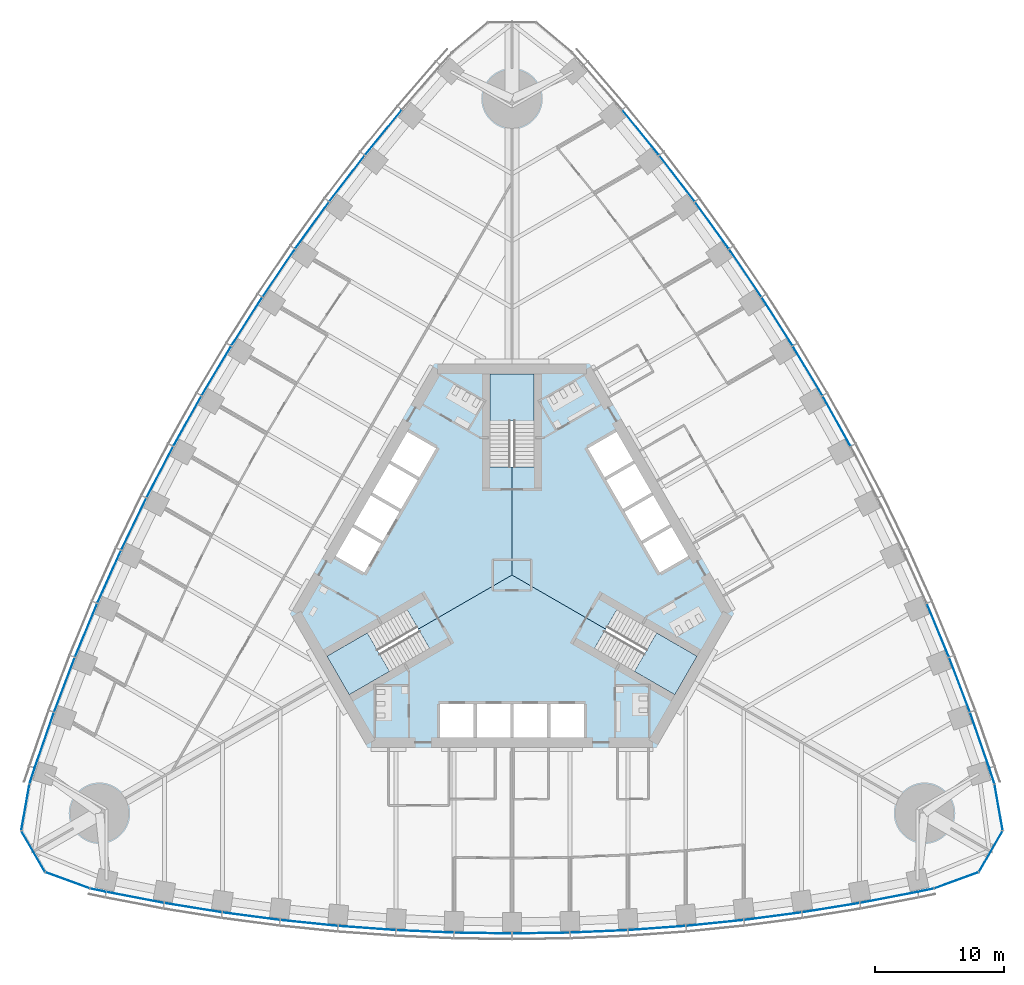
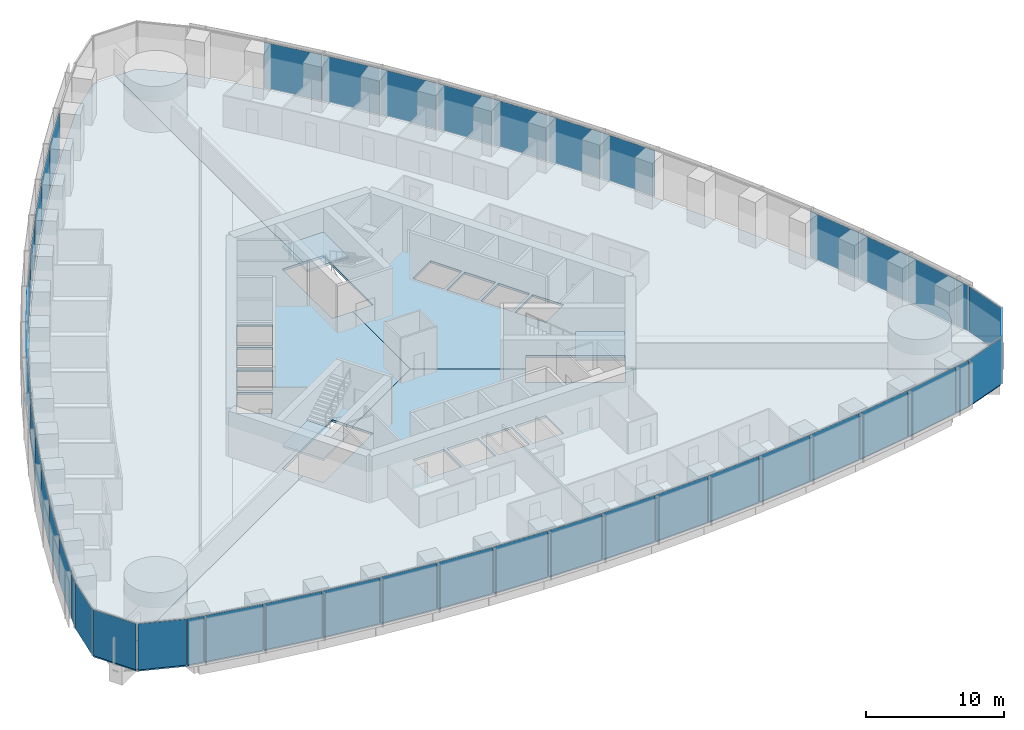
# One storey, part 8 of 18: 47 plates, 6 slabs, 8 elements without a shape of their own.
"""IFC4 building model written with IfcOpenShell, lengths in metres."""

from ifc_helpers import new_model, si_unit, direction, frame, origin, origin_2d, place, context, subcontext, project, spatial, polyline, rectangle, outline, extrude, material, layer, layer_set, type_object, element, aggregate, save


model = new_model("IFC4")

# Units and contexts
model_context = context("Model", 3, precision=1e-05, world=origin(), true_north=direction((0.0, 1.0)))
body_context = subcontext(model_context, "Body", "Model", "MODEL_VIEW")
ifc_project = project(units=[si_unit("LENGTHUNIT", "METRE"), si_unit("AREAUNIT", "SQUARE_METRE"), si_unit("VOLUMEUNIT", "CUBIC_METRE"), si_unit("PLANEANGLEUNIT", "RADIAN"), si_unit("MASSUNIT", "GRAM", prefix="KILO")], contexts=[model_context])

# Site, building, storey
site_placement = place(None, origin())
site = spatial("IfcSite", under=ifc_project, at=site_placement, CompositionType="ELEMENT")
building_placement = place(site_placement, origin())
building = spatial("IfcBuilding", under=site, at=building_placement, Name="Trefoil Bronze Tower", CompositionType="ELEMENT")
storey_placement = place(building_placement, frame((0.0, 0.0, 24.89990234375)))
storey = spatial("IfcBuildingStorey", under=building, at=storey_placement, Name="L05", CompositionType="ELEMENT", Elevation=24.89990234375)

# Curtain wall, plates
ifc_material_1 = material(Name="Tinted solar-control glass", Category="glass")
curtain_wall_type_1 = type_object("IfcCurtainWallType", Name="Bronze office curtain wall", PredefinedType="USERDEFINED", material=ifc_material_1)
curtain_wall_1_placement = place(storey_placement, origin())
curtain_wall_1 = element("IfcCurtainWall", 1, at=curtain_wall_1_placement, inside=storey, type_object=curtain_wall_type_1, Name="CW-A L05 F1", ObjectType="CURTAIN WALL", PredefinedType="USERDEFINED")
ifc_material_2 = material(Name="Tinted solar-control glass", Category="glass")
ifc_layer_1 = layer(ifc_material_2, 0.030029296875)
ifc_layer_set_1 = layer_set([ifc_layer_1], Name="Bronze office curtain wall glass panel")
plate_type_1 = type_object("IfcPlateType", Name="Bronze office curtain wall glass panel", PredefinedType="CURTAIN_PANEL", material=ifc_layer_set_1)
plate_1_placement = place(storey_placement, frame((-32.15185546875, -24.480224609375, 0.0), z_axis=(0.0, 0.0, 1.0), x_axis=(0.978302717041, -0.207180582657, 0.0)))
plate_1 = element("IfcPlate", 2, at=plate_1_placement, type_object=plate_type_1, Name="CW-A L05 F1 panel 1", PredefinedType="CURTAIN_PANEL", context=body_context, shape_type="SweptSolid", body=[
    extrude(rectangle(XDim=1.21044921875, YDim=0.030029296875, at=origin_2d()), origin(), (0.0, 0.0, 1.0), 4.080078125),
])
plate_2_placement = place(storey_placement, frame((-29.268798828125, -25.04638671875, 0.0), z_axis=(0.0, 0.0, 1.0), x_axis=(0.982049823817, -0.188621694249, 0.0)))
plate_2 = element("IfcPlate", 3, at=plate_2_placement, type_object=plate_type_1, Name="CW-A L05 F1 panel 2", PredefinedType="CURTAIN_PANEL", context=body_context, shape_type="SweptSolid", body=[
    extrude(rectangle(XDim=4.502197265625, YDim=0.030029296875, at=origin_2d()), origin(), (0.0, 0.0, 1.0), 4.080078125),
])
plate_3_placement = place(storey_placement, frame((-24.765869140625, -25.8427734375, 0.0), z_axis=(0.0, 0.0, 1.0), x_axis=(0.987181315145, -0.159602791421, 0.0)))
plate_3 = element("IfcPlate", 4, at=plate_3_placement, type_object=plate_type_1, Name="CW-A L05 F1 panel 3", PredefinedType="CURTAIN_PANEL", context=body_context, shape_type="SweptSolid", body=[
    extrude(rectangle(XDim=4.478515625, YDim=0.030029296875, at=origin_2d()), origin(), (0.0, 0.0, 1.0), 4.080078125),
])
plate_4_placement = place(storey_placement, frame((-20.262939453125, -26.50341796875, 0.0), z_axis=(0.0, 0.0, 1.0), x_axis=(0.991437251591, -0.130583981243, 0.0)))
plate_4 = element("IfcPlate", 5, at=plate_4_placement, type_object=plate_type_1, Name="CW-A L05 F1 panel 4", PredefinedType="CURTAIN_PANEL", context=body_context, shape_type="SweptSolid", body=[
    extrude(rectangle(XDim=4.458984375, YDim=0.030029296875, at=origin_2d()), origin(), (0.0, 0.0, 1.0), 4.080078125),
])
plate_5_placement = place(storey_placement, frame((-15.76025390625, -27.02978515625, 0.0), z_axis=(0.0, 0.0, 1.0), x_axis=(0.994828880293, -0.101565244717, 0.0)))
plate_5 = element("IfcPlate", 6, at=plate_5_placement, type_object=plate_type_1, Name="CW-A L05 F1 panel 5", PredefinedType="CURTAIN_PANEL", context=body_context, shape_type="SweptSolid", body=[
    extrude(rectangle(XDim=4.443359375, YDim=0.030029296875, at=origin_2d()), origin(), (0.0, 0.0, 1.0), 4.080078125),
])
plate_6_placement = place(storey_placement, frame((-11.25732421875, -27.42333984375, 0.0), z_axis=(0.0, 0.0, 1.0), x_axis=(0.99736502647, -0.072546564177, 0.0)))
plate_6 = element("IfcPlate", 7, at=plate_6_placement, type_object=plate_type_1, Name="CW-A L05 F1 panel 6", PredefinedType="CURTAIN_PANEL", context=body_context, shape_type="SweptSolid", body=[
    extrude(rectangle(XDim=4.431884765625, YDim=0.030029296875, at=origin_2d()), origin(), (0.0, 0.0, 1.0), 4.080078125),
])
plate_7_placement = place(storey_placement, frame((-6.75439453125, -27.685302734375, 0.0), z_axis=(0.0, 0.0, 1.0), x_axis=(0.999052210809, -0.043527922969, 0.0)))
plate_7 = element("IfcPlate", 8, at=plate_7_placement, type_object=plate_type_1, Name="CW-A L05 F1 panel 7", PredefinedType="CURTAIN_PANEL", context=body_context, shape_type="SweptSolid", body=[
    extrude(rectangle(XDim=4.42431640625, YDim=0.030029296875, at=origin_2d()), origin(), (0.0, 0.0, 1.0), 4.080078125),
])
plate_8_placement = place(storey_placement, frame((-2.25146484375, -27.816162109375, 0.0), z_axis=(0.0, 0.0, 1.0), x_axis=(0.999894734493, -0.014509305083, 0.0)))
plate_8 = element("IfcPlate", 9, at=plate_8_placement, type_object=plate_type_1, Name="CW-A L05 F1 panel 8", PredefinedType="CURTAIN_PANEL", context=body_context, shape_type="SweptSolid", body=[
    extrude(rectangle(XDim=4.42041015625, YDim=0.030029296875, at=origin_2d()), origin(), (0.0, 0.0, 1.0), 4.080078125),
])
plate_9_placement = place(storey_placement, frame((2.25146484375, -27.816162109375, 0.0), z_axis=(0.0, 0.0, 1.0), x_axis=(0.999894734493, 0.014509305083, 0.0)))
plate_9 = element("IfcPlate", 10, at=plate_9_placement, type_object=plate_type_1, Name="CW-A L05 F1 panel 9", PredefinedType="CURTAIN_PANEL", context=body_context, shape_type="SweptSolid", body=[
    extrude(rectangle(XDim=4.42041015625, YDim=0.030029296875, at=origin_2d()), origin(), (0.0, 0.0, 1.0), 4.080078125),
])
plate_10_placement = place(storey_placement, frame((6.75439453125, -27.685302734375, 0.0), z_axis=(0.0, 0.0, 1.0), x_axis=(0.999052210809, 0.043527922969, 0.0)))
plate_10 = element("IfcPlate", 11, at=plate_10_placement, type_object=plate_type_1, Name="CW-A L05 F1 panel 10", PredefinedType="CURTAIN_PANEL", context=body_context, shape_type="SweptSolid", body=[
    extrude(rectangle(XDim=4.42431640625, YDim=0.030029296875, at=origin_2d()), origin(), (0.0, 0.0, 1.0), 4.080078125),
])
plate_11_placement = place(storey_placement, frame((11.25732421875, -27.42333984375, 0.0), z_axis=(0.0, 0.0, 1.0), x_axis=(0.99736502647, 0.072546564177, 0.0)))
plate_11 = element("IfcPlate", 12, at=plate_11_placement, type_object=plate_type_1, Name="CW-A L05 F1 panel 11", PredefinedType="CURTAIN_PANEL", context=body_context, shape_type="SweptSolid", body=[
    extrude(rectangle(XDim=4.431884765625, YDim=0.030029296875, at=origin_2d()), origin(), (0.0, 0.0, 1.0), 4.080078125),
])
plate_12_placement = place(storey_placement, frame((15.76025390625, -27.02978515625, 0.0), z_axis=(0.0, 0.0, 1.0), x_axis=(0.994828880293, 0.101565244717, 0.0)))
plate_12 = element("IfcPlate", 13, at=plate_12_placement, type_object=plate_type_1, Name="CW-A L05 F1 panel 12", PredefinedType="CURTAIN_PANEL", context=body_context, shape_type="SweptSolid", body=[
    extrude(rectangle(XDim=4.443359375, YDim=0.030029296875, at=origin_2d()), origin(), (0.0, 0.0, 1.0), 4.080078125),
])
plate_13_placement = place(storey_placement, frame((20.262939453125, -26.50341796875, 0.0), z_axis=(0.0, 0.0, 1.0), x_axis=(0.991437251591, 0.130583981243, 0.0)))
plate_13 = element("IfcPlate", 14, at=plate_13_placement, type_object=plate_type_1, Name="CW-A L05 F1 panel 13", PredefinedType="CURTAIN_PANEL", context=body_context, shape_type="SweptSolid", body=[
    extrude(rectangle(XDim=4.458984375, YDim=0.030029296875, at=origin_2d()), origin(), (0.0, 0.0, 1.0), 4.080078125),
])
plate_14_placement = place(storey_placement, frame((24.765869140625, -25.8427734375, 0.0), z_axis=(0.0, 0.0, 1.0), x_axis=(0.987181315145, 0.159602791421, 0.0)))
plate_14 = element("IfcPlate", 15, at=plate_14_placement, type_object=plate_type_1, Name="CW-A L05 F1 panel 14", PredefinedType="CURTAIN_PANEL", context=body_context, shape_type="SweptSolid", body=[
    extrude(rectangle(XDim=4.478515625, YDim=0.030029296875, at=origin_2d()), origin(), (0.0, 0.0, 1.0), 4.080078125),
])
plate_15_placement = place(storey_placement, frame((29.268798828125, -25.04638671875, 0.0), z_axis=(0.0, 0.0, 1.0), x_axis=(0.982049823817, 0.188621694249, 0.0)))
plate_15 = element("IfcPlate", 16, at=plate_15_placement, type_object=plate_type_1, Name="CW-A L05 F1 panel 15", PredefinedType="CURTAIN_PANEL", context=body_context, shape_type="SweptSolid", body=[
    extrude(rectangle(XDim=4.502197265625, YDim=0.030029296875, at=origin_2d()), origin(), (0.0, 0.0, 1.0), 4.080078125),
])
plate_16_placement = place(storey_placement, frame((32.15185546875, -24.480224609375, 0.0), z_axis=(0.0, 0.0, 1.0), x_axis=(0.978302717041, 0.207180582657, 0.0)))
plate_16 = element("IfcPlate", 17, at=plate_16_placement, type_object=plate_type_1, Name="CW-A L05 F1 panel 16", PredefinedType="CURTAIN_PANEL", context=body_context, shape_type="SweptSolid", body=[
    extrude(rectangle(XDim=1.21044921875, YDim=0.030029296875, at=origin_2d()), origin(), (0.0, 0.0, 1.0), 4.080078125),
])
aggregate(curtain_wall_1, [plate_1, plate_2, plate_3, plate_4, plate_5, plate_6, plate_7, plate_8, plate_9, plate_10, plate_11, plate_12, plate_13, plate_14, plate_15, plate_16])

curtain_wall_2_placement = place(storey_placement, origin())
curtain_wall_2 = element("IfcCurtainWall", 18, at=curtain_wall_2_placement, inside=storey, type_object=curtain_wall_type_1, Name="CW-A L05 F2", ObjectType="CURTAIN WALL", PredefinedType="USERDEFINED")
plate_17_placement = place(storey_placement, frame((37.2763671875, -15.604248046875, 0.0), z_axis=(0.0, 0.0, 1.0), x_axis=(-0.309727710769, 0.950825296877, 0.0)))
plate_17 = element("IfcPlate", 19, at=plate_17_placement, type_object=plate_type_1, Name="CW-A L05 F2 panel 1", PredefinedType="CURTAIN_PANEL", context=body_context, shape_type="SweptSolid", body=[
    extrude(rectangle(XDim=1.21044921875, YDim=0.030029296875, at=origin_2d()), origin(), (0.0, 0.0, 1.0), 4.080078125),
])
plate_18_placement = place(storey_placement, frame((36.3251953125, -12.824462890625, 0.0), z_axis=(0.0, 0.0, 1.0), x_axis=(-0.327673732984, 0.944790942332, 0.0)))
plate_18 = element("IfcPlate", 20, at=plate_18_placement, type_object=plate_type_1, Name="CW-A L05 F2 panel 2", PredefinedType="CURTAIN_PANEL", context=body_context, shape_type="SweptSolid", body=[
    extrude(rectangle(XDim=4.502197265625, YDim=0.030029296875, at=origin_2d()), origin(), (0.0, 0.0, 1.0), 4.080078125),
])
plate_19_placement = place(storey_placement, frame((34.763427734375, -8.526611328125, 0.0), z_axis=(0.0, 0.0, 1.0), x_axis=(-0.355370585687, 0.934725492767, 0.0)))
plate_19 = element("IfcPlate", 21, at=plate_19_placement, type_object=plate_type_1, Name="CW-A L05 F2 panel 3", PredefinedType="CURTAIN_PANEL", context=body_context, shape_type="SweptSolid", body=[
    extrude(rectangle(XDim=4.478515625, YDim=0.030029296875, at=origin_2d()), origin(), (0.0, 0.0, 1.0), 4.080078125),
])
plate_20_placement = place(storey_placement, frame((33.084228515625, -4.296630859375, 0.0), z_axis=(0.0, 0.0, 1.0), x_axis=(-0.382629580712, 0.923901836758, 0.0)))
plate_20 = element("IfcPlate", 22, at=plate_20_placement, type_object=plate_type_1, Name="CW-A L05 F2 panel 4", PredefinedType="CURTAIN_PANEL", context=body_context, shape_type="SweptSolid", body=[
    extrude(rectangle(XDim=4.458984375, YDim=0.030029296875, at=origin_2d()), origin(), (0.0, 0.0, 1.0), 4.080078125),
])
plate_21_placement = place(storey_placement, frame((25.215087890625, 11.958251953125, 0.0), z_axis=(0.0, 0.0, 1.0), x_axis=(-0.487381940453, 0.873188893722, 0.0)))
plate_21 = element("IfcPlate", 23, at=plate_21_placement, type_object=plate_type_1, Name="CW-A L05 F2 panel 8", PredefinedType="CURTAIN_PANEL", context=body_context, shape_type="SweptSolid", body=[
    extrude(rectangle(XDim=4.42041015625, YDim=0.030029296875, at=origin_2d()), origin(), (0.0, 0.0, 1.0), 4.080078125),
])
plate_22_placement = place(storey_placement, frame((22.963623046875, 15.85791015625, 0.0), z_axis=(0.0, 0.0, 1.0), x_axis=(-0.51251279404, 0.858679588639, 0.0)))
plate_22 = element("IfcPlate", 24, at=plate_22_placement, type_object=plate_type_1, Name="CW-A L05 F2 panel 9", PredefinedType="CURTAIN_PANEL", context=body_context, shape_type="SweptSolid", body=[
    extrude(rectangle(XDim=4.42041015625, YDim=0.030029296875, at=origin_2d()), origin(), (0.0, 0.0, 1.0), 4.080078125),
])
plate_23_placement = place(storey_placement, frame((20.598876953125, 19.692138671875, 0.0), z_axis=(0.0, 0.0, 1.0), x_axis=(-0.537222392469, 0.843440632783, 0.0)))
plate_23 = element("IfcPlate", 25, at=plate_23_placement, type_object=plate_type_1, Name="CW-A L05 F2 panel 10", PredefinedType="CURTAIN_PANEL", context=body_context, shape_type="SweptSolid", body=[
    extrude(rectangle(XDim=4.42431640625, YDim=0.030029296875, at=origin_2d()), origin(), (0.0, 0.0, 1.0), 4.080078125),
])
plate_24_placement = place(storey_placement, frame((18.120849609375, 23.460693359375, 0.0), z_axis=(0.0, 0.0, 1.0), x_axis=(-0.56150968077, 0.827470167681, 0.0)))
plate_24 = element("IfcPlate", 26, at=plate_24_placement, type_object=plate_type_1, Name="CW-A L05 F2 panel 11", PredefinedType="CURTAIN_PANEL", context=body_context, shape_type="SweptSolid", body=[
    extrude(rectangle(XDim=4.431884765625, YDim=0.030029296875, at=origin_2d()), origin(), (0.0, 0.0, 1.0), 4.080078125),
])
plate_25_placement = place(storey_placement, frame((15.5283203125, 27.16357421875, 0.0), z_axis=(0.0, 0.0, 1.0), x_axis=(-0.585372522213, 0.810764460394, 0.0)))
plate_25 = element("IfcPlate", 27, at=plate_25_placement, type_object=plate_type_1, Name="CW-A L05 F2 panel 12", PredefinedType="CURTAIN_PANEL", context=body_context, shape_type="SweptSolid", body=[
    extrude(rectangle(XDim=4.443359375, YDim=0.030029296875, at=origin_2d()), origin(), (0.0, 0.0, 1.0), 4.080078125),
])
plate_26_placement = place(storey_placement, frame((12.821044921875, 30.800048828125, 0.0), z_axis=(0.0, 0.0, 1.0), x_axis=(-0.608807670879, 0.793317855515, 0.0)))
plate_26 = element("IfcPlate", 28, at=plate_26_placement, type_object=plate_type_1, Name="CW-A L05 F2 panel 13", PredefinedType="CURTAIN_PANEL", context=body_context, shape_type="SweptSolid", body=[
    extrude(rectangle(XDim=4.458984375, YDim=0.030029296875, at=origin_2d()), origin(), (0.0, 0.0, 1.0), 4.080078125),
])
plate_27_placement = place(storey_placement, frame((9.99755859375, 34.369384765625, 0.0), z_axis=(0.0, 0.0, 1.0), x_axis=(-0.631810729457, 0.775122701346, 0.0)))
plate_27 = element("IfcPlate", 29, at=plate_27_placement, type_object=plate_type_1, Name="CW-A L05 F2 panel 14", PredefinedType="CURTAIN_PANEL", context=body_context, shape_type="SweptSolid", body=[
    extrude(rectangle(XDim=4.478515625, YDim=0.030029296875, at=origin_2d()), origin(), (0.0, 0.0, 1.0), 4.080078125),
])
aggregate(curtain_wall_2, [plate_17, plate_18, plate_19, plate_20, plate_21, plate_22, plate_23, plate_24, plate_25, plate_26, plate_27])

curtain_wall_3_placement = place(storey_placement, origin())
curtain_wall_3 = element("IfcCurtainWall", 30, at=curtain_wall_3_placement, inside=storey, type_object=curtain_wall_type_1, Name="CW-A L05 F3", ObjectType="CURTAIN WALL", PredefinedType="USERDEFINED")
plate_28_placement = place(storey_placement, frame((-9.99755859375, 34.369384765625, 0.0), z_axis=(0.0, 0.0, 1.0), x_axis=(-0.631810729457, -0.775122701346, 0.0)))
plate_28 = element("IfcPlate", 31, at=plate_28_placement, type_object=plate_type_1, Name="CW-A L05 F3 panel 3", PredefinedType="CURTAIN_PANEL", context=body_context, shape_type="SweptSolid", body=[
    extrude(rectangle(XDim=4.478515625, YDim=0.030029296875, at=origin_2d()), origin(), (0.0, 0.0, 1.0), 4.080078125),
])
plate_29_placement = place(storey_placement, frame((-12.821044921875, 30.800048828125, 0.0), z_axis=(0.0, 0.0, 1.0), x_axis=(-0.608807670879, -0.793317855515, 0.0)))
plate_29 = element("IfcPlate", 32, at=plate_29_placement, type_object=plate_type_1, Name="CW-A L05 F3 panel 4", PredefinedType="CURTAIN_PANEL", context=body_context, shape_type="SweptSolid", body=[
    extrude(rectangle(XDim=4.458984375, YDim=0.030029296875, at=origin_2d()), origin(), (0.0, 0.0, 1.0), 4.080078125),
])
plate_30_placement = place(storey_placement, frame((-15.5283203125, 27.16357421875, 0.0), z_axis=(0.0, 0.0, 1.0), x_axis=(-0.585372522213, -0.810764460394, 0.0)))
plate_30 = element("IfcPlate", 33, at=plate_30_placement, type_object=plate_type_1, Name="CW-A L05 F3 panel 5", PredefinedType="CURTAIN_PANEL", context=body_context, shape_type="SweptSolid", body=[
    extrude(rectangle(XDim=4.443359375, YDim=0.030029296875, at=origin_2d()), origin(), (0.0, 0.0, 1.0), 4.080078125),
])
plate_31_placement = place(storey_placement, frame((-18.120849609375, 23.460693359375, 0.0), z_axis=(0.0, 0.0, 1.0), x_axis=(-0.56150968077, -0.827470167681, 0.0)))
plate_31 = element("IfcPlate", 34, at=plate_31_placement, type_object=plate_type_1, Name="CW-A L05 F3 panel 6", PredefinedType="CURTAIN_PANEL", context=body_context, shape_type="SweptSolid", body=[
    extrude(rectangle(XDim=4.431884765625, YDim=0.030029296875, at=origin_2d()), origin(), (0.0, 0.0, 1.0), 4.080078125),
])
plate_32_placement = place(storey_placement, frame((-20.598876953125, 19.692138671875, 0.0), z_axis=(0.0, 0.0, 1.0), x_axis=(-0.537222392469, -0.843440632783, 0.0)))
plate_32 = element("IfcPlate", 35, at=plate_32_placement, type_object=plate_type_1, Name="CW-A L05 F3 panel 7", PredefinedType="CURTAIN_PANEL", context=body_context, shape_type="SweptSolid", body=[
    extrude(rectangle(XDim=4.42431640625, YDim=0.030029296875, at=origin_2d()), origin(), (0.0, 0.0, 1.0), 4.080078125),
])
plate_33_placement = place(storey_placement, frame((-22.963623046875, 15.85791015625, 0.0), z_axis=(0.0, 0.0, 1.0), x_axis=(-0.51251279404, -0.858679588639, 0.0)))
plate_33 = element("IfcPlate", 36, at=plate_33_placement, type_object=plate_type_1, Name="CW-A L05 F3 panel 8", PredefinedType="CURTAIN_PANEL", context=body_context, shape_type="SweptSolid", body=[
    extrude(rectangle(XDim=4.42041015625, YDim=0.030029296875, at=origin_2d()), origin(), (0.0, 0.0, 1.0), 4.080078125),
])
plate_34_placement = place(storey_placement, frame((-25.215087890625, 11.958251953125, 0.0), z_axis=(0.0, 0.0, 1.0), x_axis=(-0.487381940453, -0.873188893722, 0.0)))
plate_34 = element("IfcPlate", 37, at=plate_34_placement, type_object=plate_type_1, Name="CW-A L05 F3 panel 9", PredefinedType="CURTAIN_PANEL", context=body_context, shape_type="SweptSolid", body=[
    extrude(rectangle(XDim=4.42041015625, YDim=0.030029296875, at=origin_2d()), origin(), (0.0, 0.0, 1.0), 4.080078125),
])
plate_35_placement = place(storey_placement, frame((-27.353271484375, 7.9931640625, 0.0), z_axis=(0.0, 0.0, 1.0), x_axis=(-0.46182981834, -0.886968555752, 0.0)))
plate_35 = element("IfcPlate", 38, at=plate_35_placement, type_object=plate_type_1, Name="CW-A L05 F3 panel 10", PredefinedType="CURTAIN_PANEL", context=body_context, shape_type="SweptSolid", body=[
    extrude(rectangle(XDim=4.42431640625, YDim=0.030029296875, at=origin_2d()), origin(), (0.0, 0.0, 1.0), 4.080078125),
])
plate_36_placement = place(storey_placement, frame((-29.3779296875, 3.962646484375, 0.0), z_axis=(0.0, 0.0, 1.0), x_axis=(-0.4358553457, -0.900016731858, 0.0)))
plate_36 = element("IfcPlate", 39, at=plate_36_placement, type_object=plate_type_1, Name="CW-A L05 F3 panel 11", PredefinedType="CURTAIN_PANEL", context=body_context, shape_type="SweptSolid", body=[
    extrude(rectangle(XDim=4.431884765625, YDim=0.030029296875, at=origin_2d()), origin(), (0.0, 0.0, 1.0), 4.080078125),
])
plate_37_placement = place(storey_placement, frame((-31.28857421875, -0.1337890625, 0.0), z_axis=(0.0, 0.0, 1.0), x_axis=(-0.40945635808, -0.912329705111, 0.0)))
plate_37 = element("IfcPlate", 40, at=plate_37_placement, type_object=plate_type_1, Name="CW-A L05 F3 panel 12", PredefinedType="CURTAIN_PANEL", context=body_context, shape_type="SweptSolid", body=[
    extrude(rectangle(XDim=4.443359375, YDim=0.030029296875, at=origin_2d()), origin(), (0.0, 0.0, 1.0), 4.080078125),
])
plate_38_placement = place(storey_placement, frame((-33.084228515625, -4.296630859375, 0.0), z_axis=(0.0, 0.0, 1.0), x_axis=(-0.382629580712, -0.923901836758, 0.0)))
plate_38 = element("IfcPlate", 41, at=plate_38_placement, type_object=plate_type_1, Name="CW-A L05 F3 panel 13", PredefinedType="CURTAIN_PANEL", context=body_context, shape_type="SweptSolid", body=[
    extrude(rectangle(XDim=4.458984375, YDim=0.030029296875, at=origin_2d()), origin(), (0.0, 0.0, 1.0), 4.080078125),
])
plate_39_placement = place(storey_placement, frame((-34.763427734375, -8.526611328125, 0.0), z_axis=(0.0, 0.0, 1.0), x_axis=(-0.355370585687, -0.934725492767, 0.0)))
plate_39 = element("IfcPlate", 42, at=plate_39_placement, type_object=plate_type_1, Name="CW-A L05 F3 panel 14", PredefinedType="CURTAIN_PANEL", context=body_context, shape_type="SweptSolid", body=[
    extrude(rectangle(XDim=4.478515625, YDim=0.030029296875, at=origin_2d()), origin(), (0.0, 0.0, 1.0), 4.080078125),
])
plate_40_placement = place(storey_placement, frame((-36.3251953125, -12.824462890625, 0.0), z_axis=(0.0, 0.0, 1.0), x_axis=(-0.327673732984, -0.944790942332, 0.0)))
plate_40 = element("IfcPlate", 43, at=plate_40_placement, type_object=plate_type_1, Name="CW-A L05 F3 panel 15", PredefinedType="CURTAIN_PANEL", context=body_context, shape_type="SweptSolid", body=[
    extrude(rectangle(XDim=4.502197265625, YDim=0.030029296875, at=origin_2d()), origin(), (0.0, 0.0, 1.0), 4.080078125),
])
plate_41_placement = place(storey_placement, frame((-37.2763671875, -15.604248046875, 0.0), z_axis=(0.0, 0.0, 1.0), x_axis=(-0.309727710769, -0.950825296877, 0.0)))
plate_41 = element("IfcPlate", 44, at=plate_41_placement, type_object=plate_type_1, Name="CW-A L05 F3 panel 16", PredefinedType="CURTAIN_PANEL", context=body_context, shape_type="SweptSolid", body=[
    extrude(rectangle(XDim=1.21044921875, YDim=0.030029296875, at=origin_2d()), origin(), (0.0, 0.0, 1.0), 4.080078125),
])
aggregate(curtain_wall_3, [plate_28, plate_29, plate_30, plate_31, plate_32, plate_33, plate_34, plate_35, plate_36, plate_37, plate_38, plate_39, plate_40, plate_41])

ifc_material_3 = material(Name="Tinted solar-control glass", Category="glass")
curtain_wall_type_2 = type_object("IfcCurtainWallType", Name="Bronze rounded corner curtain wall", PredefinedType="USERDEFINED", material=ifc_material_3)
curtain_wall_4_placement = place(storey_placement, origin())
curtain_wall_4 = element("IfcCurtainWall", 45, at=curtain_wall_4_placement, inside=storey, type_object=curtain_wall_type_2, Name="CW-B L05 K1", ObjectType="CURTAIN WALL", PredefinedType="USERDEFINED")
ifc_material_4 = material(Name="Tinted solar-control glass", Category="glass")
ifc_layer_2 = layer(ifc_material_4, 0.030029296875)
ifc_layer_set_2 = layer_set([ifc_layer_2], Name="Bronze rounded corner curtain wall glass panel")
plate_type_2 = type_object("IfcPlateType", Name="Bronze rounded corner curtain wall glass panel", PredefinedType="CURTAIN_PANEL", material=ifc_layer_set_2)
plate_42_placement = place(storey_placement, frame((34.5107421875, -23.71875, 0.0), z_axis=(0.0, 0.0, 1.0), x_axis=(0.939692620786, 0.342020143326, 0.0)))
plate_42 = element("IfcPlate", 46, at=plate_42_placement, type_object=plate_type_2, Name="CW-B L05 K1 panel 1", PredefinedType="CURTAIN_PANEL", context=body_context, shape_type="SweptSolid", body=[
    extrude(rectangle(XDim=3.588134765625, YDim=0.030029296875, at=origin_2d()), origin(), (0.0, 0.0, 1.0), 4.080078125),
])
plate_43_placement = place(storey_placement, frame((37.189208984375, -21.47119140625, 0.0), z_axis=(0.0, 0.0, 1.0), x_axis=(0.5, 0.866025403784, 0.0)))
plate_43 = element("IfcPlate", 47, at=plate_43_placement, type_object=plate_type_2, Name="CW-B L05 K1 panel 2", PredefinedType="CURTAIN_PANEL", context=body_context, shape_type="SweptSolid", body=[
    extrude(rectangle(XDim=3.588134765625, YDim=0.030029296875, at=origin_2d()), origin(), (0.0, 0.0, 1.0), 4.080078125),
])
plate_44_placement = place(storey_placement, frame((37.79638671875, -18.02783203125, 0.0), z_axis=(0.0, 0.0, 1.0), x_axis=(-0.173648177667, 0.984807753012, 0.0)))
plate_44 = element("IfcPlate", 48, at=plate_44_placement, type_object=plate_type_2, Name="CW-B L05 K1 panel 3", PredefinedType="CURTAIN_PANEL", context=body_context, shape_type="SweptSolid", body=[
    extrude(rectangle(XDim=3.588134765625, YDim=0.030029296875, at=origin_2d()), origin(), (0.0, 0.0, 1.0), 4.080078125),
])
aggregate(curtain_wall_4, [plate_42, plate_43, plate_44])

curtain_wall_5_placement = place(storey_placement, origin())
curtain_wall_5 = element("IfcCurtainWall", 49, at=curtain_wall_5_placement, inside=storey, type_object=curtain_wall_type_2, Name="CW-B L05 K3", ObjectType="CURTAIN WALL", PredefinedType="USERDEFINED")
plate_45_placement = place(storey_placement, frame((-37.79638671875, -18.02783203125, 0.0), z_axis=(0.0, 0.0, 1.0), x_axis=(-0.173648177667, -0.984807753012, 0.0)))
plate_45 = element("IfcPlate", 50, at=plate_45_placement, type_object=plate_type_2, Name="CW-B L05 K3 panel 1", PredefinedType="CURTAIN_PANEL", context=body_context, shape_type="SweptSolid", body=[
    extrude(rectangle(XDim=3.588134765625, YDim=0.030029296875, at=origin_2d()), origin(), (0.0, 0.0, 1.0), 4.080078125),
])
plate_46_placement = place(storey_placement, frame((-37.189208984375, -21.47119140625, 0.0), z_axis=(0.0, 0.0, 1.0), x_axis=(0.5, -0.866025403784, 0.0)))
plate_46 = element("IfcPlate", 51, at=plate_46_placement, type_object=plate_type_2, Name="CW-B L05 K3 panel 2", PredefinedType="CURTAIN_PANEL", context=body_context, shape_type="SweptSolid", body=[
    extrude(rectangle(XDim=3.588134765625, YDim=0.030029296875, at=origin_2d()), origin(), (0.0, 0.0, 1.0), 4.080078125),
])
plate_47_placement = place(storey_placement, frame((-34.5107421875, -23.71875, 0.0), z_axis=(0.0, 0.0, 1.0), x_axis=(0.939692620786, -0.342020143326, 0.0)))
plate_47 = element("IfcPlate", 52, at=plate_47_placement, type_object=plate_type_2, Name="CW-B L05 K3 panel 3", PredefinedType="CURTAIN_PANEL", context=body_context, shape_type="SweptSolid", body=[
    extrude(rectangle(XDim=3.588134765625, YDim=0.030029296875, at=origin_2d()), origin(), (0.0, 0.0, 1.0), 4.080078125),
])
aggregate(curtain_wall_5, [plate_45, plate_46, plate_47])

# Slabs
ifc_material_5 = material(Name="Concrete B30", Category="concrete")
ifc_layer_3 = layer(ifc_material_5, 0.199951171875)
ifc_layer_set_3 = layer_set([ifc_layer_3], Name="Floor slab 200")
slab_type_1 = type_object("IfcSlabType", Name="Floor slab 200", PredefinedType="FLOOR", material=ifc_layer_set_3)
slab_1_placement = place(storey_placement, frame((0.0, 0.0, -0.199951171875)))
element("IfcSlab", 53, at=slab_1_placement, inside=storey, type_object=slab_type_1, Name="Floor slab L05 face 1", PredefinedType="FLOOR", context=body_context, shape_type="SweptSolid", body=[
    extrude(outline(polyline([(27.0, -25.38037109375), (22.5, -26.10791015625), (18.0, -26.70068359375), (13.5, -27.159912109375), (9.0, -27.4873046875), (4.5, -27.683349609375), (0.0, -27.748779296875), (-4.5, -27.683349609375), (-9.0, -27.4873046875), (-13.5, -27.159912109375), (-18.0, -26.70068359375), (-22.5, -26.10791015625), (-27.0, -25.38037109375), (-31.5, -24.51611328125), (-32.762451171875, -24.248779296875), (-36.190673828125, -23.0009765625), (-37.1025390625, -21.421142578125), (-13.510009765625, -7.800048828125), (-12.6474609375, -9.2939453125), (-6.412109375, -5.69384765625), (-7.274658203125, -4.199951171875), (0.0, 0.0), (7.274658203125, -4.199951171875), (6.412109375, -5.69384765625), (12.6474609375, -9.2939453125), (13.510009765625, -7.800048828125), (37.1025390625, -21.421142578125), (36.190673828125, -23.0009765625), (32.762451171875, -24.248779296875), (31.5, -24.51611328125), (27.0, -25.38037109375)]), holes=[polyline([(-5.574951171875, -10.02490234375), (-2.97509765625, -10.02490234375), (-2.97509765625, -12.60009765625), (-5.574951171875, -12.60009765625), (-5.574951171875, -10.02490234375)]), polyline([(-2.72509765625, -10.02490234375), (-0.125, -10.02490234375), (-0.125, -12.60009765625), (-2.72509765625, -12.60009765625), (-2.72509765625, -10.02490234375)]), polyline([(0.125, -10.02490234375), (2.72509765625, -10.02490234375), (2.72509765625, -12.60009765625), (0.125, -12.60009765625), (0.125, -10.02490234375)]), polyline([(2.97509765625, -10.02490234375), (5.574951171875, -10.02490234375), (5.574951171875, -12.60009765625), (2.97509765625, -12.60009765625), (2.97509765625, -10.02490234375)])]), origin(), (0.0, 0.0, 1.0), 0.199951171875),
])
slab_2_placement = place(storey_placement, frame((0.0, 0.0, -0.199951171875)))
element("IfcSlab", 54, at=slab_2_placement, inside=storey, type_object=slab_type_1, Name="Floor slab L05 face 2", PredefinedType="FLOOR", context=body_context, shape_type="SweptSolid", body=[
    extrude(outline(polyline([(8.47998046875, 36.07275390625), (11.360107421875, 32.53955078125), (14.123291015625, 28.938720703125), (16.771240234375, 25.271240234375), (19.3046875, 21.537841796875), (21.724609375, 17.73876953125), (24.031005859375, 13.874267578125), (26.224609375, 9.944580078125), (28.3046875, 5.949462890625), (30.271240234375, 1.888671875), (32.123291015625, -2.238037109375), (33.860107421875, -6.431640625), (35.47998046875, -10.6923828125), (36.9814453125, -15.021728515625), (37.381103515625, -16.248779296875), (38.0146484375, -19.841552734375), (37.1025390625, -21.421142578125), (13.510009765625, -7.800048828125), (14.37255859375, -6.30615234375), (8.13720703125, -2.7060546875), (7.274658203125, -4.199951171875), (0.0, 0.0), (0.0, 8.39990234375), (1.72509765625, 8.39990234375), (1.72509765625, 15.60009765625), (0.0, 15.60009765625), (0.0, 42.842529296875), (1.82421875, 42.842529296875), (4.618896484375, 40.497314453125), (5.4814453125, 39.537841796875), (8.47998046875, 36.07275390625)]), holes=[polyline([(11.469482421875, 0.184326171875), (10.16943359375, 2.43603515625), (12.3994140625, 3.7236328125), (13.699462890625, 1.471923828125), (11.469482421875, 0.184326171875)]), polyline([(10.04443359375, 2.652587890625), (8.744384765625, 4.904296875), (10.974365234375, 6.191650390625), (12.2744140625, 3.940185546875), (10.04443359375, 2.652587890625)]), polyline([(8.619384765625, 5.120849609375), (7.3193359375, 7.372314453125), (9.54931640625, 8.659912109375), (10.849365234375, 6.408203125), (8.619384765625, 5.120849609375)]), polyline([(7.1943359375, 7.5888671875), (5.894287109375, 9.840576171875), (8.12451171875, 11.128173828125), (9.42431640625, 8.87646484375), (7.1943359375, 7.5888671875)])]), origin(), (0.0, 0.0, 1.0), 0.199951171875),
])
slab_3_placement = place(storey_placement, frame((0.0, 0.0, -0.199951171875)))
element("IfcSlab", 55, at=slab_3_placement, inside=storey, type_object=slab_type_1, Name="Floor slab L05 face 3", PredefinedType="FLOOR", context=body_context, shape_type="SweptSolid", body=[
    extrude(outline(polyline([(-35.47998046875, -10.6923828125), (-33.860107421875, -6.431640625), (-32.123291015625, -2.238037109375), (-30.271240234375, 1.888671875), (-28.3046875, 5.949462890625), (-26.224609375, 9.944580078125), (-24.031005859375, 13.874267578125), (-21.724609375, 17.73876953125), (-19.3046875, 21.537841796875), (-16.771240234375, 25.271240234375), (-14.123291015625, 28.938720703125), (-11.360107421875, 32.53955078125), (-8.47998046875, 36.07275390625), (-5.4814453125, 39.537841796875), (-4.618896484375, 40.497314453125), (-1.82421875, 42.842529296875), (0.0, 42.842529296875), (0.0, 15.60009765625), (-1.72509765625, 15.60009765625), (-1.72509765625, 8.39990234375), (0.0, 8.39990234375), (0.0, 0.0), (-7.274658203125, -4.199951171875), (-8.13720703125, -2.7060546875), (-14.37255859375, -6.30615234375), (-13.510009765625, -7.800048828125), (-37.1025390625, -21.421142578125), (-38.0146484375, -19.841552734375), (-37.381103515625, -16.248779296875), (-36.9814453125, -15.021728515625), (-35.47998046875, -10.6923828125)]), holes=[polyline([(-5.894287109375, 9.840576171875), (-7.1943359375, 7.5888671875), (-9.42431640625, 8.87646484375), (-8.12451171875, 11.128173828125), (-5.894287109375, 9.840576171875)]), polyline([(-7.3193359375, 7.372314453125), (-8.619384765625, 5.120849609375), (-10.849365234375, 6.408203125), (-9.54931640625, 8.659912109375), (-7.3193359375, 7.372314453125)]), polyline([(-8.744384765625, 4.904296875), (-10.04443359375, 2.652587890625), (-12.2744140625, 3.940185546875), (-10.974365234375, 6.191650390625), (-8.744384765625, 4.904296875)]), polyline([(-10.16943359375, 2.43603515625), (-11.469482421875, 0.184326171875), (-13.699462890625, 1.471923828125), (-12.3994140625, 3.7236328125), (-10.16943359375, 2.43603515625)])]), origin(), (0.0, 0.0, 1.0), 0.199951171875),
])

# Stair, slab
ifc_material_6 = material(Name="Precast concrete B80", Category="concrete")
stair_type = type_object("IfcStairType", Name="Exit stair 26 risers", PredefinedType="HALF_TURN_STAIR", material=ifc_material_6)
stair_1_placement = place(storey_placement, origin())
stair_1 = element("IfcStair", 56, at=stair_1_placement, inside=storey, type_object=stair_type, Name="Stair ST1 L05", PredefinedType="HALF_TURN_STAIR")
ifc_material_7 = material(Name="Concrete B30", Category="concrete")
ifc_layer_4 = layer(ifc_material_7, 0.199951171875)
ifc_layer_set_4 = layer_set([ifc_layer_4], Name="Stair landing 200")
slab_type_2 = type_object("IfcSlabType", Name="Stair landing 200", PredefinedType="LANDING", material=ifc_layer_set_4)
slab_4_placement = place(storey_placement, frame((0.0, 0.0, 1.900146484375)))
slab_4 = element("IfcSlab", 57, at=slab_4_placement, type_object=slab_type_2, Name="ST1 landing 1", PredefinedType="LANDING", context=body_context, shape_type="SweptSolid", body=[
    extrude(outline(polyline([(9.512451171875, -7.48388671875), (12.6474609375, -9.2939453125), (14.37255859375, -6.30615234375), (11.237548828125, -4.49609375), (9.512451171875, -7.48388671875)])), origin(), (0.0, 0.0, 1.0), 0.199951171875),
])
aggregate(stair_1, [slab_4])

stair_2_placement = place(storey_placement, origin())
stair_2 = element("IfcStair", 58, at=stair_2_placement, inside=storey, type_object=stair_type, Name="Stair ST2 L05", PredefinedType="HALF_TURN_STAIR")
slab_5_placement = place(storey_placement, frame((0.0, 0.0, 1.900146484375)))
slab_5 = element("IfcSlab", 59, at=slab_5_placement, type_object=slab_type_2, Name="ST2 landing 1", PredefinedType="LANDING", context=body_context, shape_type="SweptSolid", body=[
    extrude(outline(polyline([(1.72509765625, 11.97998046875), (1.72509765625, 15.60009765625), (-1.72509765625, 15.60009765625), (-1.72509765625, 11.97998046875), (1.72509765625, 11.97998046875)])), origin(), (0.0, 0.0, 1.0), 0.199951171875),
])
aggregate(stair_2, [slab_5])

stair_3_placement = place(storey_placement, origin())
stair_3 = element("IfcStair", 60, at=stair_3_placement, inside=storey, type_object=stair_type, Name="Stair ST3 L05", PredefinedType="HALF_TURN_STAIR")
slab_6_placement = place(storey_placement, frame((0.0, 0.0, 1.900146484375)))
slab_6 = element("IfcSlab", 61, at=slab_6_placement, type_object=slab_type_2, Name="ST3 landing 1", PredefinedType="LANDING", context=body_context, shape_type="SweptSolid", body=[
    extrude(outline(polyline([(-11.237548828125, -4.49609375), (-14.37255859375, -6.30615234375), (-12.6474609375, -9.2939453125), (-9.512451171875, -7.48388671875), (-11.237548828125, -4.49609375)])), origin(), (0.0, 0.0, 1.0), 0.199951171875),
])
aggregate(stair_3, [slab_6])

save(model, "model.ifc")
